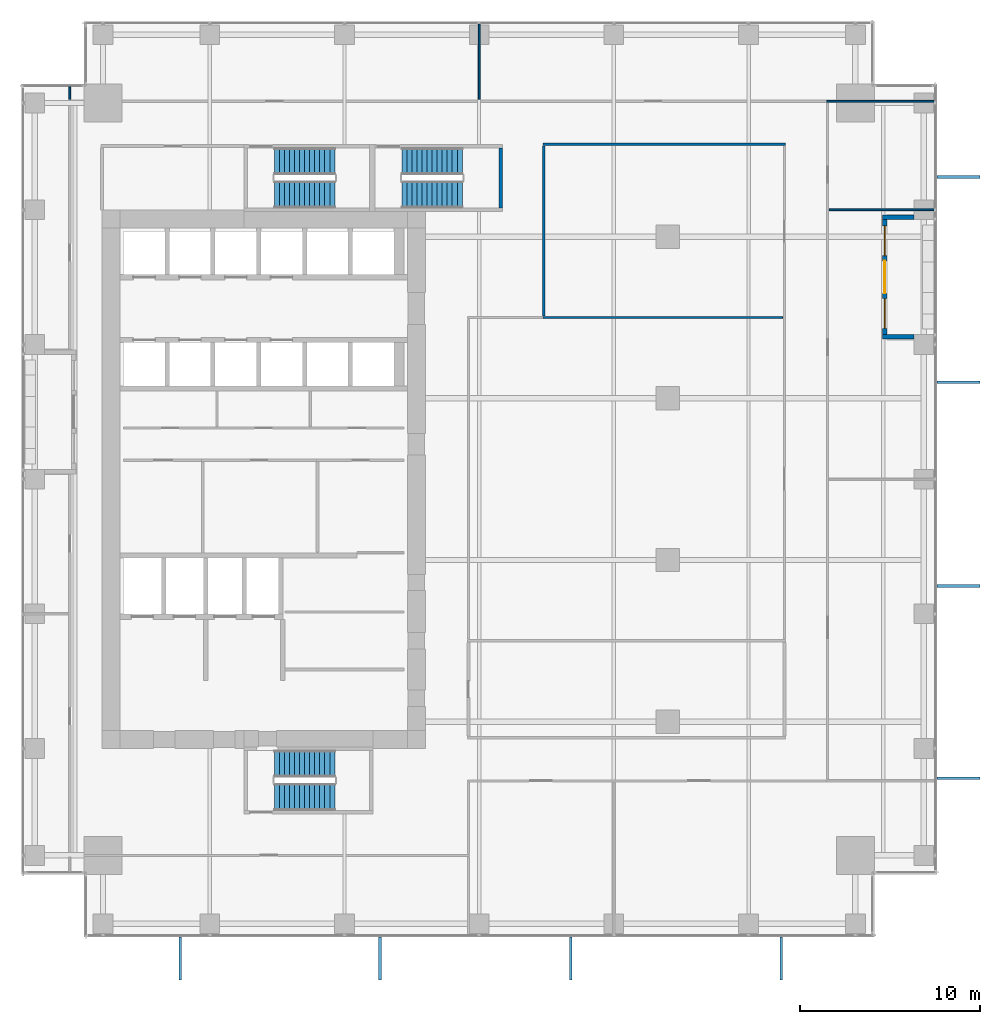
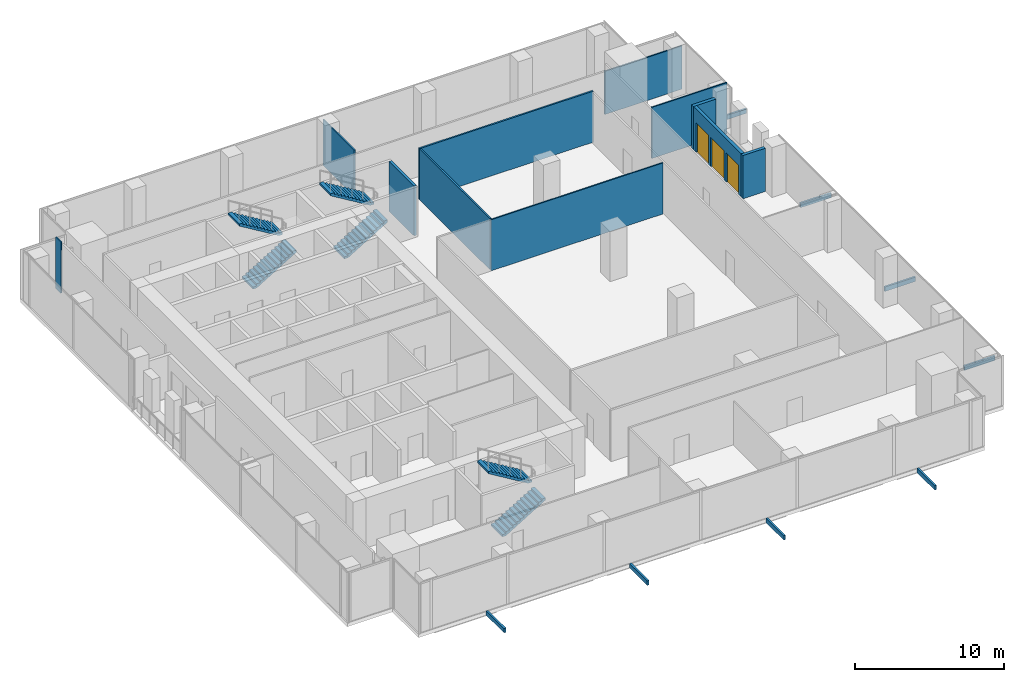
# One storey, part 32 of 35: 11 walls, 8 discrete accessories, 6 stair flights, 2 windows, 1 door, 3 openings, 3 elements without a shape of their own.
"""IFC4 building model written with IfcOpenShell, lengths in metres."""

from ifc_helpers import new_model, si_unit, direction, frame, frame_2d, origin, origin_2d, place, context, subcontext, project, spatial, polyline, rectangle, outline, extrude, source, transform, mapped, material, layer, layer_set, type_object, element, fill, aggregate, save


model = new_model("IFC4")

# Units and contexts
model_context = context("Model", 3, precision=1e-05, world=origin(), true_north=direction((0.0, 1.0)))
body_context = subcontext(model_context, "Body", "Model", "MODEL_VIEW")
ifc_project = project(units=[si_unit("LENGTHUNIT", "METRE"), si_unit("AREAUNIT", "SQUARE_METRE"), si_unit("VOLUMEUNIT", "CUBIC_METRE"), si_unit("PLANEANGLEUNIT", "RADIAN"), si_unit("MASSUNIT", "GRAM", prefix="KILO")], contexts=[model_context])

# Site, building, storey
site_placement = place(None, origin())
site = spatial("IfcSite", under=ifc_project, at=site_placement, CompositionType="ELEMENT")
building_placement = place(site_placement, origin())
building = spatial("IfcBuilding", under=site, at=building_placement, Name="Khomas Fold Tower", CompositionType="ELEMENT")
storey_placement = place(building_placement, frame((0.0, 0.0, 132.300048828125)))
storey = spatial("IfcBuildingStorey", under=building, at=storey_placement, Name="L28", CompositionType="ELEMENT", Elevation=132.300048828125)

# Wall
ifc_material_1 = material(Name="Concrete C50/60", Category="concrete")
ifc_layer_1 = layer(ifc_material_1, 0.199951171875)
ifc_layer_set_1 = layer_set([ifc_layer_1], Name="Concrete C50/60")
wall_type_1 = type_object("IfcWallType", Name="Stair wall 200", PredefinedType="SHEAR", material=ifc_layer_set_1)
shared_shape_1 = source(origin(), body_context, "Body", "SweptSolid", [
    extrude(rectangle(XDim=3.349853515625, YDim=0.199951171875, at=frame_2d((1.6748046875, 0.0))), origin(), (0.0, 0.0, 1.0), 4.099853515625),
])
wall_1_placement = place(storey_placement, frame((28.199951171875, 42.10009765625, 0.0), z_axis=(0.0, 0.0, 1.0), x_axis=(0.0, 1.0, 0.0)))
element("IfcWall", 1, at=wall_1_placement, inside=storey, type_object=wall_type_1, Name="Stair wall SW-ST3-E", PredefinedType="SHEAR", context=body_context, shape_type="MappedRepresentation", body=[
    mapped(shared_shape_1, transform((0.0, 0.0, 0.0))),
])

# Wall, openings, door, windows
ifc_material_2 = material(Name="Natural stone", Category="masonry")
ifc_layer_2 = layer(ifc_material_2, 0.0400390625)
ifc_material_3 = material(Name="Mineral wool insulation", Category="insulation")
ifc_layer_3 = layer(ifc_material_3, 0.10009765625)
ifc_material_4 = material(Name="Masonry", Category="masonry")
ifc_layer_4 = layer(ifc_material_4, 0.110107421875)
ifc_layer_set_2 = layer_set([ifc_layer_2, ifc_layer_3, ifc_layer_4], Name="Stone-faced insulated masonry")
wall_type_2 = type_object("IfcWallType", Name="BL-Balcony wall", PredefinedType="SOLIDWALL", material=ifc_layer_set_2)
shared_shape_2 = source(origin(), body_context, "Body", "SweptSolid", [
    extrude(rectangle(XDim=6.39990234375, YDim=0.25, at=frame_2d((3.199951171875, 0.0))), origin(), (0.0, 0.0, 1.0), 3.550048828125),
])
wall_2_placement = place(storey_placement, frame((49.574951171875, 35.050048828125, 0.0), z_axis=(0.0, 0.0, 1.0), x_axis=(0.0, 1.0, 0.0)))
wall_2 = element("IfcWall", 2, at=wall_2_placement, inside=storey, type_object=wall_type_2, Name="Balcony wall BAL-L28-E4", PredefinedType="SOLIDWALL", context=body_context, shape_type="MappedRepresentation", body=[
    mapped(shared_shape_2, transform((0.0, 0.0, 0.0))),
])
shared_shape_3 = source(origin(), body_context, "Body", "SweptSolid", [
    extrude(rectangle(XDim=1.64990234375, YDim=2.39990234375, at=frame_2d((0.824951171875, 1.199951171875))), frame((0.0, 0.135009765625, 0.0), z_axis=(0.0, -1.0, 0.0), x_axis=(1.0, 0.0, 0.0)), (0.0, 0.0, 1.0), 0.27001953125),
])
opening_1_placement = place(wall_2_placement, frame((0.35009765625, 0.0, 0.0)))
opening_1 = element("IfcOpeningElement", 3, at=opening_1_placement, cuts=wall_2, Name="Opening BL-W2", PredefinedType="OPENING", context=body_context, shape_type="MappedRepresentation", body=[
    mapped(shared_shape_3, transform((0.0, 0.0, 0.0))),
])
opening_2_placement = place(wall_2_placement, frame((4.39990234375, 0.0, 0.0)))
opening_2 = element("IfcOpeningElement", 4, at=opening_2_placement, cuts=wall_2, Name="Opening BL-W2", PredefinedType="OPENING", context=body_context, shape_type="MappedRepresentation", body=[
    mapped(shared_shape_3, transform((0.0, 0.0, 0.0))),
])
shared_shape_4 = source(origin(), body_context, "Body", "SweptSolid", [
    extrude(rectangle(XDim=1.800048828125, YDim=2.39990234375, at=frame_2d((0.89990234375, 1.199951171875))), frame((0.0, 0.135009765625, 0.0), z_axis=(0.0, -1.0, 0.0), x_axis=(1.0, 0.0, 0.0)), (0.0, 0.0, 1.0), 0.27001953125),
])
opening_3_placement = place(wall_2_placement, frame((2.300048828125, 0.0, 0.0)))
opening_3 = element("IfcOpeningElement", 5, at=opening_3_placement, cuts=wall_2, Name="Opening BD281", PredefinedType="OPENING", context=body_context, shape_type="MappedRepresentation", body=[
    mapped(shared_shape_4, transform((0.0, 0.0, 0.0))),
])
ifc_material_5 = material(Name="Aluminium framed double glazing", Category="aluminium")
door_type = type_object("IfcDoorType", Name="BL-Glazed balcony door 1800 x 2400", OperationType="DOUBLE_DOOR_DOUBLE_SWING", PredefinedType="DOOR", material=ifc_material_5)
shared_shape_5 = source(origin(), body_context, "Body", "SweptSolid", [
    extrude(rectangle(XDim=1.800048828125, YDim=2.39990234375, at=frame_2d((0.89990234375, 1.199951171875))), frame((0.0, 0.02490234375, 0.0), z_axis=(0.0, -1.0, 0.0), x_axis=(1.0, 0.0, 0.0)), (0.0, 0.0, 1.0), 0.050048828125),
])
door_placement = place(opening_3_placement, origin())
door = element("IfcDoor", 6, at=door_placement, inside=storey, type_object=door_type, Name="Balcony door BD281", OperationType="DOUBLE_DOOR_DOUBLE_SWING", OverallHeight=2.39990234375, OverallWidth=1.800048828125, PredefinedType="DOOR", context=body_context, shape_type="MappedRepresentation", body=[
    mapped(shared_shape_5, transform((0.0, 0.0, 0.0))),
])
fill(opening_3, door)
ifc_material_6 = material(Name="Aluminium framed double glazing", Category="aluminium")
window_type = type_object("IfcWindowType", Name="BL-Fixed glazing 1650 x 2400", PartitioningType="SINGLE_PANEL", PredefinedType="WINDOW", material=ifc_material_6)
shared_shape_6 = source(origin(), body_context, "Body", "SweptSolid", [
    extrude(rectangle(XDim=1.64990234375, YDim=2.39990234375, at=frame_2d((0.824951171875, 1.199951171875))), frame((0.0, 0.030029296875, 0.0), z_axis=(0.0, -1.0, 0.0), x_axis=(1.0, 0.0, 0.0)), (0.0, 0.0, 1.0), 0.06005859375),
])
window_1_placement = place(opening_1_placement, origin())
window_1 = element("IfcWindow", 7, at=window_1_placement, inside=storey, type_object=window_type, Name="Balcony glazing BAL-L28-E4-1", OverallHeight=2.39990234375, OverallWidth=1.64990234375, PartitioningType="SINGLE_PANEL", PredefinedType="WINDOW", context=body_context, shape_type="MappedRepresentation", body=[
    mapped(shared_shape_6, transform((0.0, 0.0, 0.0))),
])
fill(opening_1, window_1)
window_2_placement = place(opening_2_placement, origin())
window_2 = element("IfcWindow", 8, at=window_2_placement, inside=storey, type_object=window_type, Name="Balcony glazing BAL-L28-E4-2", OverallHeight=2.39990234375, OverallWidth=1.64990234375, PartitioningType="SINGLE_PANEL", PredefinedType="WINDOW", context=body_context, shape_type="MappedRepresentation", body=[
    mapped(shared_shape_6, transform((0.0, 0.0, 0.0))),
])
fill(opening_2, window_2)

# Walls
shared_shape_7 = source(origin(), body_context, "Body", "SweptSolid", [
    extrude(rectangle(XDim=1.75, YDim=0.25, at=frame_2d((0.875, 0.0))), origin(), (0.0, 0.0, 1.0), 3.550048828125),
])
for number, where, z_axis, x_axis, name in (
    (9, (51.199951171875, 34.925048828125, 0.0), (0.0, 0.0, 1.0), (-1.0, 0.0, 0.0), "Balcony return wall BAL-L28-E4-lo"),
    (10, (51.199951171875, 41.574951171875, 0.0), (0.0, 0.0, 1.0), (-1.0, 0.0, 0.0), "Balcony return wall BAL-L28-E4-hi"),
):
    element("IfcWall", number, at=place(storey_placement, frame(where, z_axis=z_axis, x_axis=x_axis)), inside=storey, type_object=wall_type_2, Name=name, PredefinedType="SOLIDWALL", context=body_context, shape_type="MappedRepresentation", body=[
        mapped(shared_shape_7, transform((0.0, 0.0, 0.0))),
    ])
ifc_material_7 = material(Name="Plasterboard partition")
ifc_layer_5 = layer(ifc_material_7, 0.10009765625)
ifc_layer_set_3 = layer_set([ifc_layer_5], Name="Plasterboard partition")
wall_type_3 = type_object("IfcWallType", Name="Partition PW1 100", PredefinedType="PARTITIONING", material=ifc_layer_set_3)
shared_shape_8 = source(origin(), body_context, "Body", "SweptSolid", [
    extrude(rectangle(XDim=5.85009765625, YDim=0.10009765625, at=frame_2d((2.925048828125, 0.0))), origin(), (0.0, 0.0, 1.0), 4.199951171875),
])
wall_3_placement = place(storey_placement, frame((46.5, 42.0, 0.0), z_axis=(0.0, 0.0, 1.0), x_axis=(1.0, 0.0, 0.0)))
element("IfcWall", 11, at=wall_3_placement, inside=storey, type_object=wall_type_3, Name="Partition", PredefinedType="PARTITIONING", context=body_context, shape_type="MappedRepresentation", body=[
    mapped(shared_shape_8, transform((0.0, 0.0, 0.0))),
])
shared_shape_9 = source(origin(), body_context, "Body", "SweptSolid", [
    extrude(rectangle(XDim=13.349853515625, YDim=0.10009765625, at=frame_2d((6.6748046875, 0.0))), origin(), (0.0, 0.0, 1.0), 4.199951171875),
])
wall_4_placement = place(storey_placement, frame((30.550048828125, 36.0, 0.0), z_axis=(0.0, 0.0, 1.0), x_axis=(1.0, 0.0, 0.0)))
element("IfcWall", 12, at=wall_4_placement, inside=storey, type_object=wall_type_3, Name="Partition", PredefinedType="PARTITIONING", context=body_context, shape_type="MappedRepresentation", body=[
    mapped(shared_shape_9, transform((0.0, 0.0, 0.0))),
])
ifc_material_8 = material(Name="Plasterboard partition")
ifc_layer_6 = layer(ifc_material_8, 0.125)
ifc_layer_set_4 = layer_set([ifc_layer_6], Name="Plasterboard partition")
wall_type_4 = type_object("IfcWallType", Name="Partition PW2 125", PredefinedType="PARTITIONING", material=ifc_layer_set_4)
shared_shape_10 = source(origin(), body_context, "Body", "SweptSolid", [
    extrude(rectangle(XDim=9.449951171875, YDim=0.125, at=frame_2d((4.72509765625, 0.0))), origin(), (0.0, 0.0, 1.0), 4.199951171875),
])
wall_5_placement = place(storey_placement, frame((30.60009765625, 36.10009765625, 0.0), z_axis=(0.0, 0.0, 1.0), x_axis=(0.0, 1.0, 0.0)))
element("IfcWall", 13, at=wall_5_placement, inside=storey, type_object=wall_type_4, Name="Partition", PredefinedType="PARTITIONING", context=body_context, shape_type="MappedRepresentation", body=[
    mapped(shared_shape_10, transform((0.0, 0.0, 0.0))),
])
shared_shape_11 = source(origin(), body_context, "Body", "SweptSolid", [
    extrude(rectangle(XDim=13.5, YDim=0.125, at=frame_2d((6.75, 0.0))), origin(), (0.0, 0.0, 1.0), 4.199951171875),
])
wall_6_placement = place(storey_placement, frame((30.550048828125, 45.64990234375, 0.0), z_axis=(0.0, 0.0, 1.0), x_axis=(1.0, 0.0, 0.0)))
element("IfcWall", 14, at=wall_6_placement, inside=storey, type_object=wall_type_4, Name="Partition", PredefinedType="PARTITIONING", context=body_context, shape_type="MappedRepresentation", body=[
    mapped(shared_shape_11, transform((0.0, 0.0, 0.0))),
])
shared_shape_12 = source(origin(), body_context, "Body", "SweptSolid", [
    extrude(rectangle(XDim=6.0, YDim=0.10009765625, at=frame_2d((3.0, 0.0))), origin(), (0.0, 0.0, 1.0), 3.550048828125),
])
wall_7_placement = place(storey_placement, frame((46.35009765625, 48.050048828125, 0.0), z_axis=(0.0, 0.0, 1.0), x_axis=(1.0, 0.0, 0.0)))
element("IfcWall", 15, at=wall_7_placement, inside=storey, type_object=wall_type_3, Name="Partition", PredefinedType="PARTITIONING", context=body_context, shape_type="MappedRepresentation", body=[
    mapped(shared_shape_12, transform((0.0, 0.0, 0.0))),
])
shared_shape_13 = source(origin(), body_context, "Body", "SweptSolid", [
    extrude(rectangle(XDim=0.7001953125, YDim=0.10009765625, at=frame_2d((0.35009765625, 0.0))), origin(), (0.0, 0.0, 1.0), 4.199951171875),
])
wall_8_placement = place(storey_placement, frame((4.199951171875, 48.14990234375, 0.0), z_axis=(0.0, 0.0, 1.0), x_axis=(0.0, 1.0, 0.0)))
element("IfcWall", 16, at=wall_8_placement, inside=storey, type_object=wall_type_3, Name="Partition", PredefinedType="PARTITIONING", context=body_context, shape_type="MappedRepresentation", body=[
    mapped(shared_shape_13, transform((0.0, 0.0, 0.0))),
])
shared_shape_14 = source(origin(), body_context, "Body", "SweptSolid", [
    extrude(rectangle(XDim=4.2001953125, YDim=0.10009765625, at=frame_2d((2.10009765625, 0.0))), origin(), (0.0, 0.0, 1.0), 3.77001953125),
])
wall_9_placement = place(storey_placement, frame((27.0, 48.14990234375, 0.0), z_axis=(0.0, 0.0, 1.0), x_axis=(0.0, 1.0, 0.0)))
element("IfcWall", 17, at=wall_9_placement, inside=storey, type_object=wall_type_3, Name="Partition", PredefinedType="PARTITIONING", context=body_context, shape_type="MappedRepresentation", body=[
    mapped(shared_shape_14, transform((0.0, 0.0, 0.0))),
])

# Stair, stair flights
ifc_material_9 = material(Name="Concrete C40/50", Category="concrete")
stair_type_1 = type_object("IfcStairType", Name="Stair ST1", PredefinedType="HALF_TURN_STAIR", material=ifc_material_9)
stair_1_placement = place(storey_placement, origin())
stair_1 = element("IfcStair", 18, at=stair_1_placement, inside=storey, type_object=stair_type_1, Name="L28 ST1", PredefinedType="HALF_TURN_STAIR")
ifc_material_10 = material(Name="Concrete C40/50", Category="concrete")
stair_flight_type_1 = type_object("IfcStairFlightType", Name="Stair flight 1500 ST1", PredefinedType="STRAIGHT", material=ifc_material_10)
shared_shape_15 = source(origin(), body_context, "Body", "SweptSolid", [
    extrude(outline(polyline([(0.0, 0.0), (0.0, 0.012939453125), (0.0, 0.026123046875), (0.0, 0.0390625), (0.0, 0.052001953125), (0.0, 0.065185546875), (0.0, 0.078125), (0.0, 0.091064453125), (0.0, 0.104248046875), (0.0, 0.1171875), (0.0, 0.130126953125), (0.0, 0.143310546875), (0.0, 0.15625), (0.0, 0.169189453125), (0.280029296875, 0.169189453125), (0.280029296875, 0.33837890625), (0.56005859375, 0.33837890625), (0.56005859375, 0.5078125), (0.840087890625, 0.5078125), (0.840087890625, 0.677001953125), (1.1201171875, 0.677001953125), (1.1201171875, 0.84619140625), (1.39990234375, 0.84619140625), (1.39990234375, 1.015380859375), (1.679931640625, 1.015380859375), (1.679931640625, 1.1845703125), (1.9599609375, 1.1845703125), (1.9599609375, 1.353759765625), (2.239990234375, 1.353759765625), (2.239990234375, 1.523193359375), (2.52001953125, 1.523193359375), (2.52001953125, 1.6923828125), (2.800048828125, 1.6923828125), (2.800048828125, 1.861572265625), (3.080078125, 1.861572265625), (3.080078125, 2.03076171875), (3.360107421875, 2.03076171875), (3.360107421875, 2.199951171875), (3.360107421875, 2.173583984375), (3.360107421875, 2.14697265625), (3.360107421875, 2.12060546875), (3.360107421875, 2.093994140625), (3.360107421875, 2.067626953125), (3.360107421875, 2.041015625), (3.360107421875, 2.0146484375), (3.360107421875, 1.988037109375), (3.360107421875, 1.961669921875), (3.360107421875, 1.93505859375), (3.360107421875, 1.90869140625), (3.360107421875, 1.882080078125), (3.360107421875, 1.855712890625), (0.289794921875, 0.0), (0.0, 0.0)])), frame((0.0, 0.75, 0.0), z_axis=(0.0, -1.0, 0.0), x_axis=(1.0, 0.0, 0.0)), (0.0, 0.0, 1.0), 1.5),
])
stair_flight_1_placement = place(storey_placement, frame((15.60009765625, 42.85009765625, 0.0), z_axis=(0.0, 0.0, 1.0), x_axis=(1.0, 0.0, 0.0)))
stair_flight_1 = element("IfcStairFlight", 19, at=stair_flight_1_placement, type_object=stair_flight_type_1, Name="ST1 flight 1", NumberOfRisers=13, NumberOfTreads=12, PredefinedType="STRAIGHT", RiserHeight=0.169230769, TreadLength=0.28, context=body_context, shape_type="MappedRepresentation", body=[
    mapped(shared_shape_15, transform((0.0, 0.0, 0.0))),
])
stair_flight_2_placement = place(storey_placement, frame((18.9599609375, 44.699951171875, 2.199951171875), z_axis=(0.0, 0.0, 1.0), x_axis=(-1.0, 0.0, 0.0)))
stair_flight_2 = element("IfcStairFlight", 20, at=stair_flight_2_placement, type_object=stair_flight_type_1, Name="ST1 flight 2", NumberOfRisers=13, NumberOfTreads=12, PredefinedType="STRAIGHT", RiserHeight=0.169230769, TreadLength=0.28, context=body_context, shape_type="MappedRepresentation", body=[
    mapped(shared_shape_15, transform((0.0, 0.0, 0.0))),
])
aggregate(stair_1, [stair_flight_1, stair_flight_2])

ifc_material_11 = material(Name="Concrete C40/50", Category="concrete")
stair_type_2 = type_object("IfcStairType", Name="Stair ST2", PredefinedType="HALF_TURN_STAIR", material=ifc_material_11)
stair_2_placement = place(storey_placement, origin())
stair_2 = element("IfcStair", 21, at=stair_2_placement, inside=storey, type_object=stair_type_2, Name="L28 ST2", PredefinedType="HALF_TURN_STAIR")
ifc_material_12 = material(Name="Concrete C40/50", Category="concrete")
stair_flight_type_2 = type_object("IfcStairFlightType", Name="Stair flight 1500 ST2", PredefinedType="STRAIGHT", material=ifc_material_12)
stair_flight_3_placement = place(storey_placement, frame((15.60009765625, 9.300048828125, 0.0), z_axis=(0.0, 0.0, 1.0), x_axis=(1.0, 0.0, 0.0)))
stair_flight_3 = element("IfcStairFlight", 22, at=stair_flight_3_placement, type_object=stair_flight_type_2, Name="ST2 flight 1", NumberOfRisers=13, NumberOfTreads=12, PredefinedType="STRAIGHT", RiserHeight=0.169230769, TreadLength=0.28, context=body_context, shape_type="MappedRepresentation", body=[
    mapped(shared_shape_15, transform((0.0, 0.0, 0.0))),
])
stair_flight_4_placement = place(storey_placement, frame((18.9599609375, 11.14990234375, 2.199951171875), z_axis=(0.0, 0.0, 1.0), x_axis=(-1.0, 0.0, 0.0)))
stair_flight_4 = element("IfcStairFlight", 23, at=stair_flight_4_placement, type_object=stair_flight_type_2, Name="ST2 flight 2", NumberOfRisers=13, NumberOfTreads=12, PredefinedType="STRAIGHT", RiserHeight=0.169230769, TreadLength=0.28, context=body_context, shape_type="MappedRepresentation", body=[
    mapped(shared_shape_15, transform((0.0, 0.0, 0.0))),
])
aggregate(stair_2, [stair_flight_3, stair_flight_4])

ifc_material_13 = material(Name="Concrete C40/50", Category="concrete")
stair_type_3 = type_object("IfcStairType", Name="Stair ST3", PredefinedType="HALF_TURN_STAIR", material=ifc_material_13)
stair_3_placement = place(storey_placement, origin())
stair_3 = element("IfcStair", 24, at=stair_3_placement, inside=storey, type_object=stair_type_3, Name="L28 ST3", PredefinedType="HALF_TURN_STAIR")
ifc_material_14 = material(Name="Concrete C40/50", Category="concrete")
stair_flight_type_3 = type_object("IfcStairFlightType", Name="Stair flight 1500 ST3", PredefinedType="STRAIGHT", material=ifc_material_14)
stair_flight_5_placement = place(storey_placement, frame((22.699951171875, 42.85009765625, 0.0), z_axis=(0.0, 0.0, 1.0), x_axis=(1.0, 0.0, 0.0)))
stair_flight_5 = element("IfcStairFlight", 25, at=stair_flight_5_placement, type_object=stair_flight_type_3, Name="ST3 flight 1", NumberOfRisers=13, NumberOfTreads=12, PredefinedType="STRAIGHT", RiserHeight=0.169230769, TreadLength=0.28, context=body_context, shape_type="MappedRepresentation", body=[
    mapped(shared_shape_15, transform((0.0, 0.0, 0.0))),
])
stair_flight_6_placement = place(storey_placement, frame((26.06005859375, 44.699951171875, 2.199951171875), z_axis=(0.0, 0.0, 1.0), x_axis=(-1.0, 0.0, 0.0)))
stair_flight_6 = element("IfcStairFlight", 26, at=stair_flight_6_placement, type_object=stair_flight_type_3, Name="ST3 flight 2", NumberOfRisers=13, NumberOfTreads=12, PredefinedType="STRAIGHT", RiserHeight=0.169230769, TreadLength=0.28, context=body_context, shape_type="MappedRepresentation", body=[
    mapped(shared_shape_15, transform((0.0, 0.0, 0.0))),
])
aggregate(stair_3, [stair_flight_5, stair_flight_6])

# Discrete accessories
ifc_material_15 = material(Name="Stainless steel", Category="steel")
discrete_accessory_type = type_object("IfcDiscreteAccessoryType", Name="SK-Stainless steel stone bracket", PredefinedType="BRACKET", material=ifc_material_15)
shared_shape_16 = source(origin(), body_context, "Body", "SweptSolid", [
    extrude(rectangle(XDim=2.388427734375, YDim=0.14990234375, at=origin_2d()), origin(), (0.0, 0.0, 1.0), 0.360107421875),
])
for number, where, z_axis, x_axis, name in (
    (27, (10.349365234375, 0.3056640625, -0.30029296875), (0.0, 0.0, 1.0), (0.0, -1.0, 0.0), "Stone bracket L28 SS03-1-4"),
    (28, (21.47705078125, 0.3056640625, -0.30029296875), (0.0, 0.0, 1.0), (0.0, -1.0, 0.0), "Stone bracket L28 SS06-2-4"),
    (29, (32.09228515625, 0.3056640625, -0.30029296875), (0.0, 0.0, 1.0), (0.0, -1.0, 0.0), "Stone bracket L28 SS09-3-4"),
    (30, (43.825439453125, 0.3056640625, -0.30029296875), (0.0, 0.0, 1.0), (0.0, -1.0, 0.0), "Stone bracket L28 SS12-4-4"),
    (31, (53.6943359375, 10.349365234375, -0.30029296875), (0.0, 0.0, 1.0), (1.0, 0.0, 0.0), "Stone bracket L28 ES03-1-2"),
    (32, (53.6943359375, 21.050537109375, -0.30029296875), (0.0, 0.0, 1.0), (1.0, 0.0, 0.0), "Stone bracket L28 ES06-2-2"),
    (33, (53.6943359375, 32.39892578125, -0.30029296875), (0.0, 0.0, 1.0), (1.0, 0.0, 0.0), "Stone bracket L28 ES09-3-2"),
    (34, (53.6943359375, 43.825439453125, -0.30029296875), (0.0, 0.0, 1.0), (1.0, 0.0, 0.0), "Stone bracket L28 ES12-4-2"),
):
    element("IfcDiscreteAccessory", number, at=place(storey_placement, frame(where, z_axis=z_axis, x_axis=x_axis)), inside=storey, type_object=discrete_accessory_type, Name=name, PredefinedType="BRACKET", context=body_context, shape_type="MappedRepresentation", body=[
        mapped(shared_shape_16, transform((0.0, 0.0, 0.0))),
    ])

save(model, "model.ifc")
